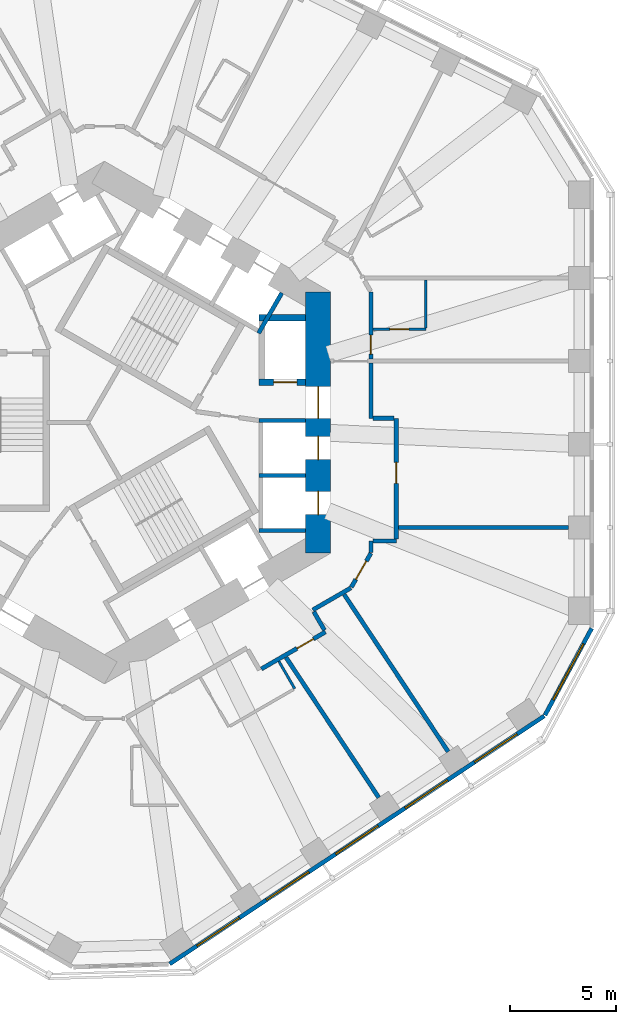
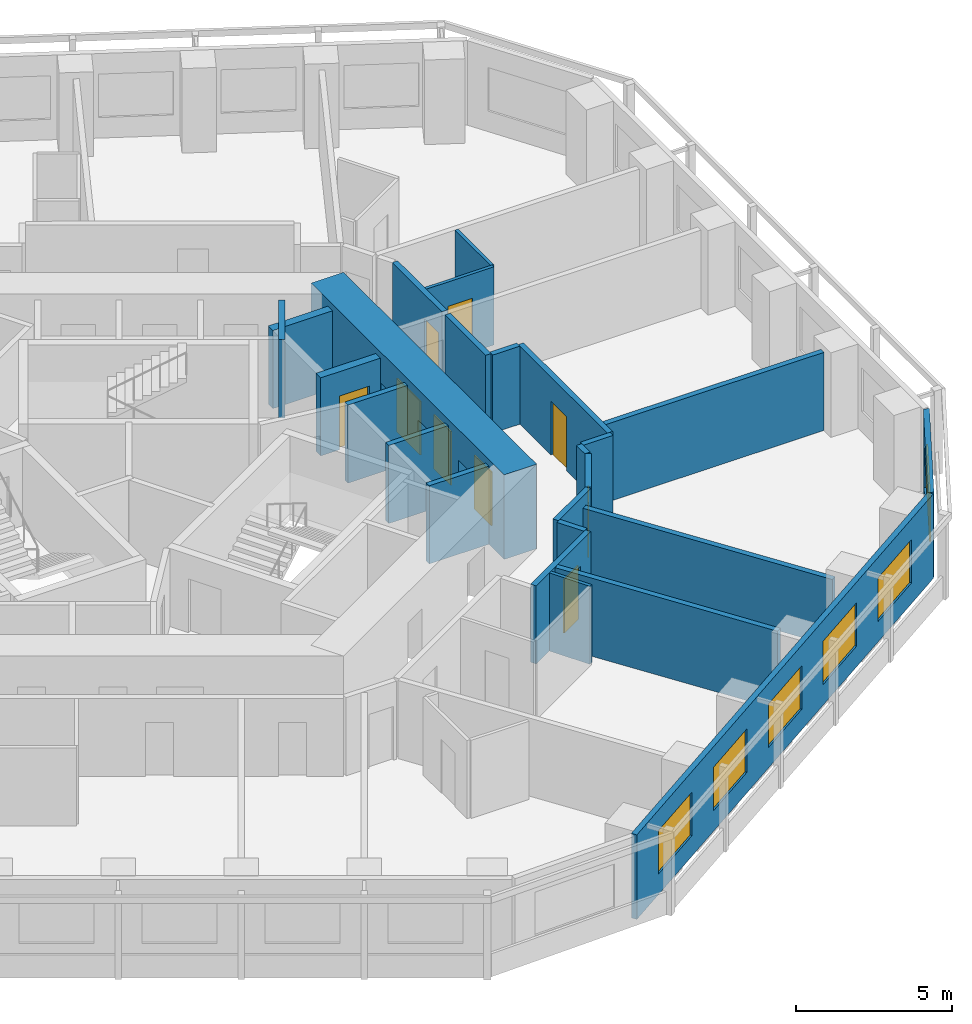
# One storey, part 6 of 12: 25 walls, 9 doors, 6 windows, 15 openings.
"""IFC4 building model written with IfcOpenShell, lengths in metres."""

from ifc_helpers import new_model, si_unit, direction, frame, frame_2d, origin, place, context, subcontext, project, spatial, rectangle, extrude, material, layer, layer_set, type_object, element, fill, save


model = new_model("IFC4")

# Units and contexts
model_context = context("Model", 3, precision=1e-05, world=origin(), true_north=direction((0.0, 1.0)))
body_context = subcontext(model_context, "Body", "Model", "MODEL_VIEW")
ifc_project = project(units=[si_unit("LENGTHUNIT", "METRE"), si_unit("AREAUNIT", "SQUARE_METRE"), si_unit("VOLUMEUNIT", "CUBIC_METRE"), si_unit("PLANEANGLEUNIT", "RADIAN"), si_unit("MASSUNIT", "GRAM", prefix="KILO")], contexts=[model_context])

# Site, building, storey
site_placement = place(None, origin())
site = spatial("IfcSite", under=ifc_project, at=site_placement, CompositionType="ELEMENT")
building_placement = place(site_placement, origin())
building = spatial("IfcBuilding", under=site, at=building_placement, Name="Vanh Sen Convention Tower", CompositionType="ELEMENT")
storey_placement = place(building_placement, frame((0.0, 0.0, 110.0)))
storey = spatial("IfcBuildingStorey", under=building, at=storey_placement, Name="L26", CompositionType="ELEMENT", Elevation=110.0)

# Wall
ifc_material_1 = material(Name="Moisture-resistant gypsum board on steel studs", Category="steel")
ifc_layer_1 = layer(ifc_material_1, 0.1201171875)
ifc_layer_set_1 = layer_set([ifc_layer_1], Name="Moisture-resistant gypsum board on steel studs")
wall_type_1 = type_object("IfcWallType", Name="Bathroom partition 120", PredefinedType="PARTITIONING", material=ifc_layer_set_1)
wall_1_placement = place(storey_placement, frame((8.248779296875, -11.2890625, 0.0), z_axis=(0.0, 0.0, 1.0), x_axis=(0.499957405522, -0.866049994321, 0.0)))
element("IfcWall", 1, at=wall_1_placement, inside=storey, type_object=wall_type_1, Name="Bathroom partition 120", PredefinedType="PARTITIONING", context=body_context, shape_type="SweptSolid", body=[
    extrude(rectangle(XDim=1.499267578125, YDim=0.1201171875, at=frame_2d((0.74951171875, 0.0))), origin(), (0.0, 0.0, 1.0), 3.050048828125),
])

# Wall, opening, door
wall_2_placement = place(storey_placement, frame((15.199951171875, 4.404541015625, 0.0), z_axis=(0.0, 0.0, 1.0), x_axis=(-1.0, 0.0, 0.0)))
wall_2 = element("IfcWall", 2, at=wall_2_placement, inside=storey, type_object=wall_type_1, Name="Bathroom partition 120", PredefinedType="PARTITIONING", context=body_context, shape_type="SweptSolid", body=[
    extrude(rectangle(XDim=2.5, YDim=0.1201171875, at=frame_2d((1.25, 0.0))), origin(), (0.0, 0.0, 1.0), 3.050048828125),
])
opening_1_placement = place(wall_2_placement, frame((0.800048828125, 0.0, 0.0)))
opening_1 = element("IfcOpeningElement", 3, at=opening_1_placement, cuts=wall_2, Name="Opening D25103", PredefinedType="OPENING", context=body_context, shape_type="SweptSolid", body=[
    extrude(rectangle(XDim=0.89990234375, YDim=2.10009765625, at=frame_2d((0.449951171875, 1.050048828125))), frame((0.0, 0.070068359375, 0.0), z_axis=(0.0, -1.0, 0.0), x_axis=(1.0, 0.0, 0.0)), (0.0, 0.0, 1.0), 0.14013671875),
])
ifc_material_2 = material(Name="Laminate door in steel frame", Category="steel")
door_type_1 = type_object("IfcDoorType", Name="En-suite door 900", OperationType="SINGLE_SWING_LEFT", PredefinedType="DOOR", material=ifc_material_2)
door_1_placement = place(opening_1_placement, origin())
door_1 = element("IfcDoor", 4, at=door_1_placement, inside=storey, type_object=door_type_1, Name="En-suite door D25103", OperationType="SINGLE_SWING_LEFT", OverallHeight=2.10009765625, OverallWidth=0.89990234375, PredefinedType="DOOR", context=body_context, shape_type="SweptSolid", body=[
    extrude(rectangle(XDim=0.89990234375, YDim=2.10009765625, at=frame_2d((0.449951171875, 1.050048828125))), frame((0.0, 0.02490234375, 0.0), z_axis=(0.0, -1.0, 0.0), x_axis=(1.0, 0.0, 0.0)), (0.0, 0.0, 1.0), 0.050048828125),
])
fill(opening_1, door_1)

# Wall
wall_3_placement = place(storey_placement, frame((15.199951171875, 6.739013671875, 0.0), z_axis=(0.0, 0.0, 1.0), x_axis=(0.0, -1.0, 0.0)))
element("IfcWall", 5, at=wall_3_placement, inside=storey, type_object=wall_type_1, Name="Bathroom partition 120", PredefinedType="PARTITIONING", context=body_context, shape_type="SweptSolid", body=[
    extrude(rectangle(XDim=2.2744140625, YDim=0.1201171875, at=frame_2d((1.13720703125, 0.0))), origin(), (0.0, 0.0, 1.0), 3.050048828125),
])

# Wall, openings, doors
ifc_material_3 = material(Name="Concrete C80/95", Category="concrete")
ifc_layer_2 = layer(ifc_material_3, 1.199951171875)
ifc_layer_set_2 = layer_set([ifc_layer_2], Name="Concrete C80/95")
wall_type_2 = type_object("IfcWallType", Name="Core outer wall 1200 C80/95", PredefinedType="SHEAR", material=ifc_layer_set_2)
wall_4_placement = place(storey_placement, frame((10.10009765625, -6.177490234375, 0.0), z_axis=(0.0, 0.0, 1.0), x_axis=(0.0, 1.0, 0.0)))
wall_4 = element("IfcWall", 6, at=wall_4_placement, inside=storey, type_object=wall_type_2, Name="Core wall face E L26", PredefinedType="SHEAR", context=body_context, shape_type="SweptSolid", body=[
    extrude(rectangle(XDim=12.35498046875, YDim=1.199951171875, at=frame_2d((6.177490234375, 0.0))), origin(), (0.0, 0.0, 1.0), 3.300048828125),
])
opening_2_placement = place(wall_4_placement, frame((6.377685546875, 0.0, 0.0)))
opening_2 = element("IfcOpeningElement", 7, at=opening_2_placement, cuts=wall_4, Name="Opening D25001", PredefinedType="OPENING", context=body_context, shape_type="SweptSolid", body=[
    extrude(rectangle(XDim=1.5, YDim=2.10009765625, at=frame_2d((0.75, 1.050048828125))), frame((0.0, 0.60986328125, 0.0), z_axis=(0.0, -1.0, 0.0), x_axis=(1.0, 0.0, 0.0)), (0.0, 0.0, 1.0), 1.219970703125),
])
opening_3_placement = place(wall_4_placement, frame((1.82763671875, 0.0, 0.0)))
opening_3 = element("IfcOpeningElement", 8, at=opening_3_placement, cuts=wall_4, Name="Opening LD-LR1", PredefinedType="OPENING", context=body_context, shape_type="SweptSolid", body=[
    extrude(rectangle(XDim=1.10009765625, YDim=2.10009765625, at=frame_2d((0.550048828125, 1.050048828125))), frame((0.0, 0.60986328125, 0.0), z_axis=(0.0, -1.0, 0.0), x_axis=(1.0, 0.0, 0.0)), (0.0, 0.0, 1.0), 1.219970703125),
])
opening_4_placement = place(wall_4_placement, frame((4.427490234375, 0.0, 0.0)))
opening_4 = element("IfcOpeningElement", 9, at=opening_4_placement, cuts=wall_4, Name="Opening LD-LR2", PredefinedType="OPENING", context=body_context, shape_type="SweptSolid", body=[
    extrude(rectangle(XDim=1.10009765625, YDim=2.10009765625, at=frame_2d((0.550048828125, 1.050048828125))), frame((0.0, 0.60986328125, 0.0), z_axis=(0.0, -1.0, 0.0), x_axis=(1.0, 0.0, 0.0)), (0.0, 0.0, 1.0), 1.219970703125),
])
ifc_material_4 = material(Name="Stainless steel", Category="steel")
door_type_2 = type_object("IfcDoorType", Name="Lift landing door 1100", OperationType="DOUBLE_DOOR_SLIDING", PredefinedType="DOOR", material=ifc_material_4)
door_2_placement = place(opening_3_placement, origin())
door_2 = element("IfcDoor", 10, at=door_2_placement, inside=storey, type_object=door_type_2, Name="Lift LR1 landing door LD-LR1", OperationType="DOUBLE_DOOR_SLIDING", OverallHeight=2.10009765625, OverallWidth=1.10009765625, PredefinedType="DOOR", context=body_context, shape_type="SweptSolid", body=[
    extrude(rectangle(XDim=1.10009765625, YDim=2.10009765625, at=frame_2d((0.550048828125, 1.050048828125))), frame((0.0, 0.02490234375, 0.0), z_axis=(0.0, -1.0, 0.0), x_axis=(1.0, 0.0, 0.0)), (0.0, 0.0, 1.0), 0.050048828125),
])
fill(opening_3, door_2)
door_3_placement = place(opening_4_placement, origin())
door_3 = element("IfcDoor", 11, at=door_3_placement, inside=storey, type_object=door_type_2, Name="Lift LR2 landing door LD-LR2", OperationType="DOUBLE_DOOR_SLIDING", OverallHeight=2.10009765625, OverallWidth=1.10009765625, PredefinedType="DOOR", context=body_context, shape_type="SweptSolid", body=[
    extrude(rectangle(XDim=1.10009765625, YDim=2.10009765625, at=frame_2d((0.550048828125, 1.050048828125))), frame((0.0, 0.02490234375, 0.0), z_axis=(0.0, -1.0, 0.0), x_axis=(1.0, 0.0, 0.0)), (0.0, 0.0, 1.0), 0.050048828125),
])
fill(opening_4, door_3)
ifc_material_5 = material(Name="Steel S355", Category="steel")
door_type_3 = type_object("IfcDoorType", Name="Stair lobby door 1500", OperationType="DOUBLE_DOOR_SINGLE_SWING", PredefinedType="DOOR", material=ifc_material_5)
door_4_placement = place(opening_2_placement, origin())
door_4 = element("IfcDoor", 12, at=door_4_placement, inside=storey, type_object=door_type_3, Name="Stair lobby door D25001", OperationType="DOUBLE_DOOR_SINGLE_SWING", OverallHeight=2.10009765625, OverallWidth=1.5, PredefinedType="DOOR", context=body_context, shape_type="SweptSolid", body=[
    extrude(rectangle(XDim=1.5, YDim=2.10009765625, at=frame_2d((0.75, 1.050048828125))), frame((0.0, 0.02490234375, 0.0), z_axis=(0.0, -1.0, 0.0), x_axis=(1.0, 0.0, 0.0)), (0.0, 0.0, 1.0), 0.050048828125),
])
fill(opening_2, door_4)

# Wall, opening, door
ifc_material_6 = material(Name="Gypsum board on steel studs with mineral wool", Category="steel")
ifc_layer_3 = layer(ifc_material_6, 0.199951171875)
ifc_layer_set_3 = layer_set([ifc_layer_3], Name="Gypsum board on steel studs with mineral wool")
wall_type_3 = type_object("IfcWallType", Name="Corridor partition wall 200", PredefinedType="PARTITIONING", material=ifc_layer_set_3)
wall_5_placement = place(storey_placement, frame((7.419189453125, -11.652587890625, 0.0), z_axis=(0.0, 0.0, 1.0), x_axis=(0.866038154057, 0.49997791523, 0.0)))
wall_5 = element("IfcWall", 13, at=wall_5_placement, inside=storey, type_object=wall_type_3, Name="Corridor partition wall 200", PredefinedType="PARTITIONING", context=body_context, shape_type="SweptSolid", body=[
    extrude(rectangle(XDim=3.502197265625, YDim=0.199951171875, at=frame_2d((1.7509765625, 0.0))), origin(), (0.0, 0.0, 1.0), 3.050048828125),
])
opening_5_placement = place(wall_5_placement, frame((1.939697265625, 0.0, 0.0)))
opening_5 = element("IfcOpeningElement", 14, at=opening_5_placement, cuts=wall_5, Name="Opening D25128", PredefinedType="OPENING", context=body_context, shape_type="SweptSolid", body=[
    extrude(rectangle(XDim=0.89990234375, YDim=2.10009765625, at=frame_2d((0.449951171875, 1.050048828125))), frame((0.0, 0.10986328125, 0.0), z_axis=(0.0, -1.0, 0.0), x_axis=(1.0, 0.0, 0.0)), (0.0, 0.0, 1.0), 0.219970703125),
])
ifc_material_7 = material(Name="Timber fire door in steel frame", Category="steel")
door_type_4 = type_object("IfcDoorType", Name="Floor service door 900", OperationType="SINGLE_SWING_LEFT", PredefinedType="DOOR", material=ifc_material_7)
door_5_placement = place(opening_5_placement, origin())
door_5 = element("IfcDoor", 15, at=door_5_placement, inside=storey, type_object=door_type_4, Name="Service room door D25128", OperationType="SINGLE_SWING_LEFT", OverallHeight=2.10009765625, OverallWidth=0.89990234375, PredefinedType="DOOR", context=body_context, shape_type="SweptSolid", body=[
    extrude(rectangle(XDim=0.89990234375, YDim=2.10009765625, at=frame_2d((0.449951171875, 1.050048828125))), frame((0.0, 0.02490234375, 0.0), z_axis=(0.0, -1.0, 0.0), x_axis=(1.0, 0.0, 0.0)), (0.0, 0.0, 1.0), 0.050048828125),
])
fill(opening_5, door_5)

# Walls
wall_6_placement = place(storey_placement, frame((9.8515625, -8.861328125, 0.0), z_axis=(0.0, 0.0, 1.0), x_axis=(0.866013291437, 0.500020978615, 0.0)))
element("IfcWall", 16, at=wall_6_placement, inside=storey, type_object=wall_type_3, Name="Corridor partition wall 200", PredefinedType="PARTITIONING", context=body_context, shape_type="SweptSolid", body=[
    extrude(rectangle(XDim=2.07666015625, YDim=0.199951171875, at=frame_2d((1.038330078125, 0.0))), origin(), (0.0, 0.0, 1.0), 3.050048828125),
])
wall_7_placement = place(storey_placement, frame((10.402099609375, -9.81494140625, 0.0), z_axis=(0.0, 0.0, 1.0), x_axis=(-0.499968756647, 0.866043441391, 0.0)))
element("IfcWall", 17, at=wall_7_placement, inside=storey, type_object=wall_type_3, Name="Corridor partition wall 200", PredefinedType="PARTITIONING", context=body_context, shape_type="SweptSolid", body=[
    extrude(rectangle(XDim=1.0009765625, YDim=0.199951171875, at=frame_2d((0.50048828125, 0.0))), origin(), (0.0, 0.0, 1.0), 3.050048828125),
])

# Wall, opening, door
wall_8_placement = place(storey_placement, frame((11.669921875, -7.788330078125, 0.0), z_axis=(0.0, 0.0, 1.0), x_axis=(0.500063286585, 0.865988862174, 0.0)))
wall_8 = element("IfcWall", 18, at=wall_8_placement, inside=storey, type_object=wall_type_3, Name="Corridor partition wall 200", PredefinedType="PARTITIONING", context=body_context, shape_type="SweptSolid", body=[
    extrude(rectangle(XDim=1.860107421875, YDim=0.199951171875, at=frame_2d((0.93017578125, 0.0))), origin(), (0.0, 0.0, 1.0), 3.050048828125),
])
opening_6_placement = place(wall_8_placement, frame((0.429931640625, 0.0, 0.0)))
opening_6 = element("IfcOpeningElement", 19, at=opening_6_placement, cuts=wall_8, Name="Opening D25129", PredefinedType="OPENING", context=body_context, shape_type="SweptSolid", body=[
    extrude(rectangle(XDim=1.0, YDim=2.10009765625, at=frame_2d((0.5, 1.050048828125))), frame((0.0, 0.10986328125, 0.0), z_axis=(0.0, -1.0, 0.0), x_axis=(1.0, 0.0, 0.0)), (0.0, 0.0, 1.0), 0.219970703125),
])
door_type_5 = type_object("IfcDoorType", Name="Floor room door 1000", OperationType="SINGLE_SWING_LEFT", PredefinedType="DOOR", material=ifc_material_7)
door_6_placement = place(opening_6_placement, origin())
door_6 = element("IfcDoor", 20, at=door_6_placement, inside=storey, type_object=door_type_5, Name="Meeting and amenity room door D25129", OperationType="SINGLE_SWING_LEFT", OverallHeight=2.10009765625, OverallWidth=1.0, PredefinedType="DOOR", context=body_context, shape_type="SweptSolid", body=[
    extrude(rectangle(XDim=1.0, YDim=2.10009765625, at=frame_2d((0.5, 1.050048828125))), frame((0.0, 0.02490234375, 0.0), z_axis=(0.0, -1.0, 0.0), x_axis=(1.0, 0.0, 0.0)), (0.0, 0.0, 1.0), 0.050048828125),
])
fill(opening_6, door_6)

# Walls
wall_9_placement = place(storey_placement, frame((12.60009765625, -6.1376953125, 0.0), z_axis=(0.0, 0.0, 1.0), x_axis=(0.0, 1.0, 0.0)))
element("IfcWall", 21, at=wall_9_placement, inside=storey, type_object=wall_type_3, Name="Corridor partition wall 200", PredefinedType="PARTITIONING", context=body_context, shape_type="SweptSolid", body=[
    extrude(rectangle(XDim=0.53662109375, YDim=0.199951171875, at=frame_2d((0.268310546875, 0.0))), origin(), (0.0, 0.0, 1.0), 3.050048828125),
])
wall_10_placement = place(storey_placement, frame((12.60009765625, 0.200927734375, 0.0), z_axis=(0.0, 0.0, 1.0), x_axis=(0.0, 1.0, 0.0)))
element("IfcWall", 22, at=wall_10_placement, inside=storey, type_object=wall_type_3, Name="Corridor partition wall 200", PredefinedType="PARTITIONING", context=body_context, shape_type="SweptSolid", body=[
    extrude(rectangle(XDim=2.603515625, YDim=0.199951171875, at=frame_2d((1.3017578125, 0.0))), origin(), (0.0, 0.0, 1.0), 3.050048828125),
])

# Wall, opening, door
wall_11_placement = place(storey_placement, frame((12.60009765625, 3.00439453125, 0.0), z_axis=(0.0, 0.0, 1.0), x_axis=(0.0, 1.0, 0.0)))
wall_11 = element("IfcWall", 23, at=wall_11_placement, inside=storey, type_object=wall_type_3, Name="Corridor partition wall 200", PredefinedType="PARTITIONING", context=body_context, shape_type="SweptSolid", body=[
    extrude(rectangle(XDim=3.173095703125, YDim=0.199951171875, at=frame_2d((1.58642578125, 0.0))), origin(), (0.0, 0.0, 1.0), 3.050048828125),
])
opening_7_placement = place(wall_11_placement, frame((0.22509765625, 0.0, 0.0)))
opening_7 = element("IfcOpeningElement", 24, at=opening_7_placement, cuts=wall_11, Name="Opening D25102", PredefinedType="OPENING", context=body_context, shape_type="SweptSolid", body=[
    extrude(rectangle(XDim=0.89990234375, YDim=2.10009765625, at=frame_2d((0.449951171875, 1.050048828125))), frame((0.0, 0.10986328125, 0.0), z_axis=(0.0, -1.0, 0.0), x_axis=(1.0, 0.0, 0.0)), (0.0, 0.0, 1.0), 0.219970703125),
])
door_type_6 = type_object("IfcDoorType", Name="Guest room door 900", OperationType="SINGLE_SWING_LEFT", PredefinedType="DOOR", material=ifc_material_7)
door_7_placement = place(opening_7_placement, origin())
door_7 = element("IfcDoor", 25, at=door_7_placement, inside=storey, type_object=door_type_6, Name="Hotel guest room door D25102", OperationType="SINGLE_SWING_LEFT", OverallHeight=2.10009765625, OverallWidth=0.89990234375, PredefinedType="DOOR", context=body_context, shape_type="SweptSolid", body=[
    extrude(rectangle(XDim=0.89990234375, YDim=2.10009765625, at=frame_2d((0.449951171875, 1.050048828125))), frame((0.0, 0.02490234375, 0.0), z_axis=(0.0, -1.0, 0.0), x_axis=(1.0, 0.0, 0.0)), (0.0, 0.0, 1.0), 0.050048828125),
])
fill(opening_7, door_7)

# Walls
wall_12_placement = place(storey_placement, frame((12.699951171875, -5.60107421875, 0.0), z_axis=(0.0, 0.0, 1.0), x_axis=(1.0, 0.0, 0.0)))
element("IfcWall", 26, at=wall_12_placement, inside=storey, type_object=wall_type_3, Name="Corridor partition wall 200", PredefinedType="PARTITIONING", context=body_context, shape_type="SweptSolid", body=[
    extrude(rectangle(XDim=1.10107421875, YDim=0.199951171875, at=frame_2d((0.550537109375, 0.0))), origin(), (0.0, 0.0, 1.0), 3.050048828125),
])
wall_13_placement = place(storey_placement, frame((13.700927734375, 0.200927734375, 0.0), z_axis=(0.0, 0.0, 1.0), x_axis=(-1.0, 0.0, 0.0)))
element("IfcWall", 27, at=wall_13_placement, inside=storey, type_object=wall_type_3, Name="Corridor partition wall 200", PredefinedType="PARTITIONING", context=body_context, shape_type="SweptSolid", body=[
    extrude(rectangle(XDim=1.0009765625, YDim=0.199951171875, at=frame_2d((0.50048828125, 0.0))), origin(), (0.0, 0.0, 1.0), 3.050048828125),
])

# Wall, opening, door
wall_14_placement = place(storey_placement, frame((13.801025390625, -5.5009765625, 0.0), z_axis=(0.0, 0.0, 1.0), x_axis=(0.0, 1.0, 0.0)))
wall_14 = element("IfcWall", 28, at=wall_14_placement, inside=storey, type_object=wall_type_3, Name="Corridor partition wall 200", PredefinedType="PARTITIONING", context=body_context, shape_type="SweptSolid", body=[
    extrude(rectangle(XDim=5.701904296875, YDim=0.199951171875, at=frame_2d((2.85107421875, 0.0))), origin(), (0.0, 0.0, 1.0), 3.050048828125),
])
opening_8_placement = place(wall_14_placement, frame((2.619140625, 0.0, 0.0)))
opening_8 = element("IfcOpeningElement", 29, at=opening_8_placement, cuts=wall_14, Name="Opening D25101", PredefinedType="OPENING", context=body_context, shape_type="SweptSolid", body=[
    extrude(rectangle(XDim=1.0, YDim=2.10009765625, at=frame_2d((0.5, 1.050048828125))), frame((0.0, 0.10986328125, 0.0), z_axis=(0.0, -1.0, 0.0), x_axis=(1.0, 0.0, 0.0)), (0.0, 0.0, 1.0), 0.219970703125),
])
door_8_placement = place(opening_8_placement, origin())
door_8 = element("IfcDoor", 30, at=door_8_placement, inside=storey, type_object=door_type_5, Name="Meeting and amenity room door D25101", OperationType="SINGLE_SWING_LEFT", OverallHeight=2.10009765625, OverallWidth=1.0, PredefinedType="DOOR", context=body_context, shape_type="SweptSolid", body=[
    extrude(rectangle(XDim=1.0, YDim=2.10009765625, at=frame_2d((0.5, 1.050048828125))), frame((0.0, 0.02490234375, 0.0), z_axis=(0.0, -1.0, 0.0), x_axis=(1.0, 0.0, 0.0)), (0.0, 0.0, 1.0), 0.050048828125),
])
fill(opening_8, door_8)

# Wall, openings, windows
ifc_material_8 = material(Name="Insulated lightweight infill wall")
ifc_layer_4 = layer(ifc_material_8, 0.199951171875)
ifc_layer_set_4 = layer_set([ifc_layer_4], Name="Insulated lightweight infill wall")
wall_type_4 = type_object("IfcWallType", Name="External wall 200", PredefinedType="STANDARD", material=ifc_layer_set_4)
wall_15_placement = place(storey_placement, frame((3.0830078125, -25.60107421875, 0.0), z_axis=(0.0, 0.0, 1.0), x_axis=(0.833884295743, 0.551939291329, 0.0)))
wall_15 = element("IfcWall", 31, at=wall_15_placement, inside=storey, type_object=wall_type_4, Name="External wall SE L26", PredefinedType="STANDARD", context=body_context, shape_type="SweptSolid", body=[
    extrude(rectangle(XDim=21.24609375, YDim=0.199951171875, at=frame_2d((10.623046875, 0.0))), origin(), (0.0, 0.0, 1.0), 3.300048828125),
])
opening_9_placement = place(wall_15_placement, frame((1.552978515625, 0.0, 0.800048828125)))
opening_9 = element("IfcOpeningElement", 32, at=opening_9_placement, cuts=wall_15, Name="Opening WH1-SE1", PredefinedType="OPENING", context=body_context, shape_type="SweptSolid", body=[
    extrude(rectangle(XDim=2.39990234375, YDim=1.699951171875, at=frame_2d((1.199951171875, 0.85009765625))), frame((0.0, 0.10986328125, 0.0), z_axis=(0.0, -1.0, 0.0), x_axis=(1.0, 0.0, 0.0)), (0.0, 0.0, 1.0), 0.219970703125),
])
opening_10_placement = place(wall_15_placement, frame((5.487548828125, 0.0, 0.800048828125)))
opening_10 = element("IfcOpeningElement", 33, at=opening_10_placement, cuts=wall_15, Name="Opening WH1-SE2", PredefinedType="OPENING", context=body_context, shape_type="SweptSolid", body=[
    extrude(rectangle(XDim=2.39990234375, YDim=1.699951171875, at=frame_2d((1.199951171875, 0.85009765625))), frame((0.0, 0.10986328125, 0.0), z_axis=(0.0, -1.0, 0.0), x_axis=(1.0, 0.0, 0.0)), (0.0, 0.0, 1.0), 0.219970703125),
])
opening_11_placement = place(wall_15_placement, frame((9.422119140625, 0.0, 0.800048828125)))
opening_11 = element("IfcOpeningElement", 34, at=opening_11_placement, cuts=wall_15, Name="Opening WH1-SE3", PredefinedType="OPENING", context=body_context, shape_type="SweptSolid", body=[
    extrude(rectangle(XDim=2.39990234375, YDim=1.699951171875, at=frame_2d((1.199951171875, 0.85009765625))), frame((0.0, 0.10986328125, 0.0), z_axis=(0.0, -1.0, 0.0), x_axis=(1.0, 0.0, 0.0)), (0.0, 0.0, 1.0), 0.219970703125),
])
opening_12_placement = place(wall_15_placement, frame((13.356689453125, 0.0, 0.800048828125)))
opening_12 = element("IfcOpeningElement", 35, at=opening_12_placement, cuts=wall_15, Name="Opening WH1-SE4", PredefinedType="OPENING", context=body_context, shape_type="SweptSolid", body=[
    extrude(rectangle(XDim=2.39990234375, YDim=1.699951171875, at=frame_2d((1.199951171875, 0.85009765625))), frame((0.0, 0.10986328125, 0.0), z_axis=(0.0, -1.0, 0.0), x_axis=(1.0, 0.0, 0.0)), (0.0, 0.0, 1.0), 0.219970703125),
])
opening_13_placement = place(wall_15_placement, frame((17.291259765625, 0.0, 0.800048828125)))
opening_13 = element("IfcOpeningElement", 36, at=opening_13_placement, cuts=wall_15, Name="Opening WH1-SE5", PredefinedType="OPENING", context=body_context, shape_type="SweptSolid", body=[
    extrude(rectangle(XDim=2.39990234375, YDim=1.699951171875, at=frame_2d((1.199951171875, 0.85009765625))), frame((0.0, 0.10986328125, 0.0), z_axis=(0.0, -1.0, 0.0), x_axis=(1.0, 0.0, 0.0)), (0.0, 0.0, 1.0), 0.219970703125),
])
ifc_material_9 = material(Name="Aluminium frame with clear low-emissivity glass", Category="aluminium")
window_type_1 = type_object("IfcWindowType", Name="Hotel window 2400 x 1700", PartitioningType="SINGLE_PANEL", PredefinedType="WINDOW", material=ifc_material_9)
window_1_placement = place(opening_9_placement, origin())
window_1 = element("IfcWindow", 37, at=window_1_placement, inside=storey, type_object=window_type_1, Name="Window WH1-SE1", OverallHeight=1.699951171875, OverallWidth=2.39990234375, PartitioningType="SINGLE_PANEL", PredefinedType="WINDOW", context=body_context, shape_type="SweptSolid", body=[
    extrude(rectangle(XDim=2.39990234375, YDim=1.699951171875, at=frame_2d((1.199951171875, 0.85009765625))), frame((0.0, 0.030029296875, 0.0), z_axis=(0.0, -1.0, 0.0), x_axis=(1.0, 0.0, 0.0)), (0.0, 0.0, 1.0), 0.06005859375),
])
fill(opening_9, window_1)
window_2_placement = place(opening_10_placement, origin())
window_2 = element("IfcWindow", 38, at=window_2_placement, inside=storey, type_object=window_type_1, Name="Window WH1-SE2", OverallHeight=1.699951171875, OverallWidth=2.39990234375, PartitioningType="SINGLE_PANEL", PredefinedType="WINDOW", context=body_context, shape_type="SweptSolid", body=[
    extrude(rectangle(XDim=2.39990234375, YDim=1.699951171875, at=frame_2d((1.199951171875, 0.85009765625))), frame((0.0, 0.030029296875, 0.0), z_axis=(0.0, -1.0, 0.0), x_axis=(1.0, 0.0, 0.0)), (0.0, 0.0, 1.0), 0.06005859375),
])
fill(opening_10, window_2)
window_3_placement = place(opening_11_placement, origin())
window_3 = element("IfcWindow", 39, at=window_3_placement, inside=storey, type_object=window_type_1, Name="Window WH1-SE3", OverallHeight=1.699951171875, OverallWidth=2.39990234375, PartitioningType="SINGLE_PANEL", PredefinedType="WINDOW", context=body_context, shape_type="SweptSolid", body=[
    extrude(rectangle(XDim=2.39990234375, YDim=1.699951171875, at=frame_2d((1.199951171875, 0.85009765625))), frame((0.0, 0.030029296875, 0.0), z_axis=(0.0, -1.0, 0.0), x_axis=(1.0, 0.0, 0.0)), (0.0, 0.0, 1.0), 0.06005859375),
])
fill(opening_11, window_3)
window_4_placement = place(opening_12_placement, origin())
window_4 = element("IfcWindow", 40, at=window_4_placement, inside=storey, type_object=window_type_1, Name="Window WH1-SE4", OverallHeight=1.699951171875, OverallWidth=2.39990234375, PartitioningType="SINGLE_PANEL", PredefinedType="WINDOW", context=body_context, shape_type="SweptSolid", body=[
    extrude(rectangle(XDim=2.39990234375, YDim=1.699951171875, at=frame_2d((1.199951171875, 0.85009765625))), frame((0.0, 0.030029296875, 0.0), z_axis=(0.0, -1.0, 0.0), x_axis=(1.0, 0.0, 0.0)), (0.0, 0.0, 1.0), 0.06005859375),
])
fill(opening_12, window_4)
window_5_placement = place(opening_13_placement, origin())
window_5 = element("IfcWindow", 41, at=window_5_placement, inside=storey, type_object=window_type_1, Name="Window WH1-SE5", OverallHeight=1.699951171875, OverallWidth=2.39990234375, PartitioningType="SINGLE_PANEL", PredefinedType="WINDOW", context=body_context, shape_type="SweptSolid", body=[
    extrude(rectangle(XDim=2.39990234375, YDim=1.699951171875, at=frame_2d((1.199951171875, 0.85009765625))), frame((0.0, 0.030029296875, 0.0), z_axis=(0.0, -1.0, 0.0), x_axis=(1.0, 0.0, 0.0)), (0.0, 0.0, 1.0), 0.06005859375),
])
fill(opening_13, window_5)

# Wall, opening, window
wall_16_placement = place(storey_placement, frame((20.83251953125, -13.838623046875, 0.0), z_axis=(0.0, 0.0, 1.0), x_axis=(0.473321668581, 0.880889662813, 0.0)))
wall_16 = element("IfcWall", 42, at=wall_16_placement, inside=storey, type_object=wall_type_4, Name="External wall CH6 L26", PredefinedType="STANDARD", context=body_context, shape_type="SweptSolid", body=[
    extrude(rectangle(XDim=4.65966796875, YDim=0.199951171875, at=frame_2d((2.329833984375, 0.0))), origin(), (0.0, 0.0, 1.0), 3.300048828125),
])
opening_14_placement = place(wall_16_placement, frame((0.829833984375, 0.0, 0.800048828125)))
opening_14 = element("IfcOpeningElement", 43, at=opening_14_placement, cuts=wall_16, Name="Opening WH2-CH61", PredefinedType="OPENING", context=body_context, shape_type="SweptSolid", body=[
    extrude(rectangle(XDim=3.0, YDim=1.699951171875, at=frame_2d((1.5, 0.85009765625))), frame((0.0, 0.10986328125, 0.0), z_axis=(0.0, -1.0, 0.0), x_axis=(1.0, 0.0, 0.0)), (0.0, 0.0, 1.0), 0.219970703125),
])
window_type_2 = type_object("IfcWindowType", Name="Hotel window 3000 x 1700", PartitioningType="SINGLE_PANEL", PredefinedType="WINDOW", material=ifc_material_9)
window_6_placement = place(opening_14_placement, origin())
window_6 = element("IfcWindow", 44, at=window_6_placement, inside=storey, type_object=window_type_2, Name="Window WH2-CH61", OverallHeight=1.699951171875, OverallWidth=3.0, PartitioningType="SINGLE_PANEL", PredefinedType="WINDOW", context=body_context, shape_type="SweptSolid", body=[
    extrude(rectangle(XDim=3.0, YDim=1.699951171875, at=frame_2d((1.5, 0.85009765625))), frame((0.0, 0.030029296875, 0.0), z_axis=(0.0, -1.0, 0.0), x_axis=(1.0, 0.0, 0.0)), (0.0, 0.0, 1.0), 0.06005859375),
])
fill(opening_14, window_6)

# Wall, opening, door
ifc_material_10 = material(Name="Concrete C60/75", Category="concrete")
ifc_layer_5 = layer(ifc_material_10, 0.300048828125)
ifc_layer_set_5 = layer_set([ifc_layer_5], Name="Concrete C60/75")
wall_type_5 = type_object("IfcWallType", Name="Fire-fighting lift shaft wall 300", PredefinedType="SHEAR", material=ifc_layer_set_5)
wall_17_placement = place(storey_placement, frame((7.300048828125, 1.89990234375, 0.0), z_axis=(0.0, 0.0, 1.0), x_axis=(1.0, 0.0, 0.0)))
wall_17 = element("IfcWall", 45, at=wall_17_placement, inside=storey, type_object=wall_type_5, Name="Fire-fighting lift shaft wall L26", PredefinedType="SHEAR", context=body_context, shape_type="SweptSolid", body=[
    extrude(rectangle(XDim=2.199951171875, YDim=0.300048828125, at=frame_2d((1.10009765625, 0.0))), origin(), (0.0, 0.0, 1.0), 3.050048828125),
])
opening_15_placement = place(wall_17_placement, frame((0.699951171875, 0.0, 0.0)))
opening_15 = element("IfcOpeningElement", 46, at=opening_15_placement, cuts=wall_17, Name="Opening LD-FF1", PredefinedType="OPENING", context=body_context, shape_type="SweptSolid", body=[
    extrude(rectangle(XDim=1.10009765625, YDim=2.10009765625, at=frame_2d((0.550048828125, 1.050048828125))), frame((0.0, 0.159912109375, 0.0), z_axis=(0.0, -1.0, 0.0), x_axis=(1.0, 0.0, 0.0)), (0.0, 0.0, 1.0), 0.320068359375),
])
door_type_7 = type_object("IfcDoorType", Name="Fire-fighting lift landing door 1100", OperationType="DOUBLE_DOOR_SLIDING", PredefinedType="DOOR", material=ifc_material_4)
door_9_placement = place(opening_15_placement, origin())
door_9 = element("IfcDoor", 47, at=door_9_placement, inside=storey, type_object=door_type_7, Name="Lift FF1 landing door LD-FF1", OperationType="DOUBLE_DOOR_SLIDING", OverallHeight=2.10009765625, OverallWidth=1.10009765625, PredefinedType="DOOR", context=body_context, shape_type="SweptSolid", body=[
    extrude(rectangle(XDim=1.10009765625, YDim=2.10009765625, at=frame_2d((0.550048828125, 1.050048828125))), frame((0.0, 0.02490234375, 0.0), z_axis=(0.0, -1.0, 0.0), x_axis=(1.0, 0.0, 0.0)), (0.0, 0.0, 1.0), 0.050048828125),
])
fill(opening_15, door_9)

# Walls
wall_18_placement = place(storey_placement, frame((7.300048828125, 4.949951171875, 0.0), z_axis=(0.0, 0.0, 1.0), x_axis=(1.0, 0.0, 0.0)))
element("IfcWall", 48, at=wall_18_placement, inside=storey, type_object=wall_type_5, Name="Fire-fighting lift shaft wall L26", PredefinedType="SHEAR", context=body_context, shape_type="SweptSolid", body=[
    extrude(rectangle(XDim=2.199951171875, YDim=0.300048828125, at=frame_2d((1.10009765625, 0.0))), origin(), (0.0, 0.0, 1.0), 3.050048828125),
])
ifc_layer_6 = layer(ifc_material_6, 0.199951171875)
ifc_layer_set_6 = layer_set([ifc_layer_6], Name="Gypsum board on steel studs with mineral wool")
wall_type_6 = type_object("IfcWallType", Name="Hotel party wall 200", PredefinedType="PARTITIONING", material=ifc_layer_set_6)
wall_19_placement = place(storey_placement, frame((12.973876953125, -17.7353515625, 0.0), z_axis=(0.0, 0.0, 1.0), x_axis=(-0.55192625685, 0.833892922982, 0.0)))
element("IfcWall", 49, at=wall_19_placement, inside=storey, type_object=wall_type_6, Name="Hotel party wall 200", PredefinedType="PARTITIONING", context=body_context, shape_type="SweptSolid", body=[
    extrude(rectangle(XDim=7.9501953125, YDim=0.199951171875, at=frame_2d((3.97509765625, 0.0))), origin(), (0.0, 0.0, 1.0), 3.050048828125),
])
wall_20_placement = place(storey_placement, frame((13.90087890625, -4.964599609375, 0.0), z_axis=(0.0, 0.0, 1.0), x_axis=(1.0, 0.0, 0.0)))
element("IfcWall", 50, at=wall_20_placement, inside=storey, type_object=wall_type_6, Name="Hotel party wall 200", PredefinedType="PARTITIONING", context=body_context, shape_type="SweptSolid", body=[
    extrude(rectangle(XDim=8.049072265625, YDim=0.199951171875, at=frame_2d((4.0244140625, 0.0))), origin(), (0.0, 0.0, 1.0), 3.050048828125),
])
wall_21_placement = place(storey_placement, frame((16.2548828125, -15.563720703125, 0.0), z_axis=(0.0, 0.0, 1.0), x_axis=(-0.55192208744, 0.833895682562, 0.0)))
element("IfcWall", 51, at=wall_21_placement, inside=storey, type_object=wall_type_6, Name="Hotel party wall 200", PredefinedType="PARTITIONING", context=body_context, shape_type="SweptSolid", body=[
    extrude(rectangle(XDim=8.912841796875, YDim=0.199951171875, at=frame_2d((4.45654296875, 0.0))), origin(), (0.0, 0.0, 1.0), 2.60009765625),
])
ifc_material_11 = material(Name="Concrete C40/50", Category="concrete")
ifc_layer_7 = layer(ifc_material_11, 0.199951171875)
ifc_layer_set_7 = layer_set([ifc_layer_7], Name="Concrete C40/50")
wall_type_7 = type_object("IfcWallType", Name="Lift shaft wall 200", PredefinedType="PARTITIONING", material=ifc_layer_set_7)
for number, where, z_axis, x_axis, name in (
    (52, (7.300048828125, -5.10009765625, 0.0), (0.0, 0.0, 1.0), (1.0, 0.0, 0.0), "Lift shaft wall L26"),
    (53, (7.300048828125, -2.5, 0.0), (0.0, 0.0, 1.0), (1.0, 0.0, 0.0), "Lift shaft wall L26"),
    (54, (7.300048828125, 0.10009765625, 0.0), (0.0, 0.0, 1.0), (1.0, 0.0, 0.0), "Lift shaft wall L26"),
    (55, (7.287353515625, 4.221923828125, 0.0), (0.0, 0.0, 1.0), (0.499946605688, 0.86605622881, 0.0), "Lift shaft wall L26"),
):
    element("IfcWall", number, at=place(storey_placement, frame(where, z_axis=z_axis, x_axis=x_axis)), inside=storey, type_object=wall_type_7, Name=name, PredefinedType="PARTITIONING", context=body_context, shape_type="SweptSolid", body=[
        extrude(rectangle(XDim=2.199951171875, YDim=0.199951171875, at=frame_2d((1.10009765625, 0.0))), origin(), (0.0, 0.0, 1.0), 3.050048828125),
    ])

save(model, "model.ifc")
